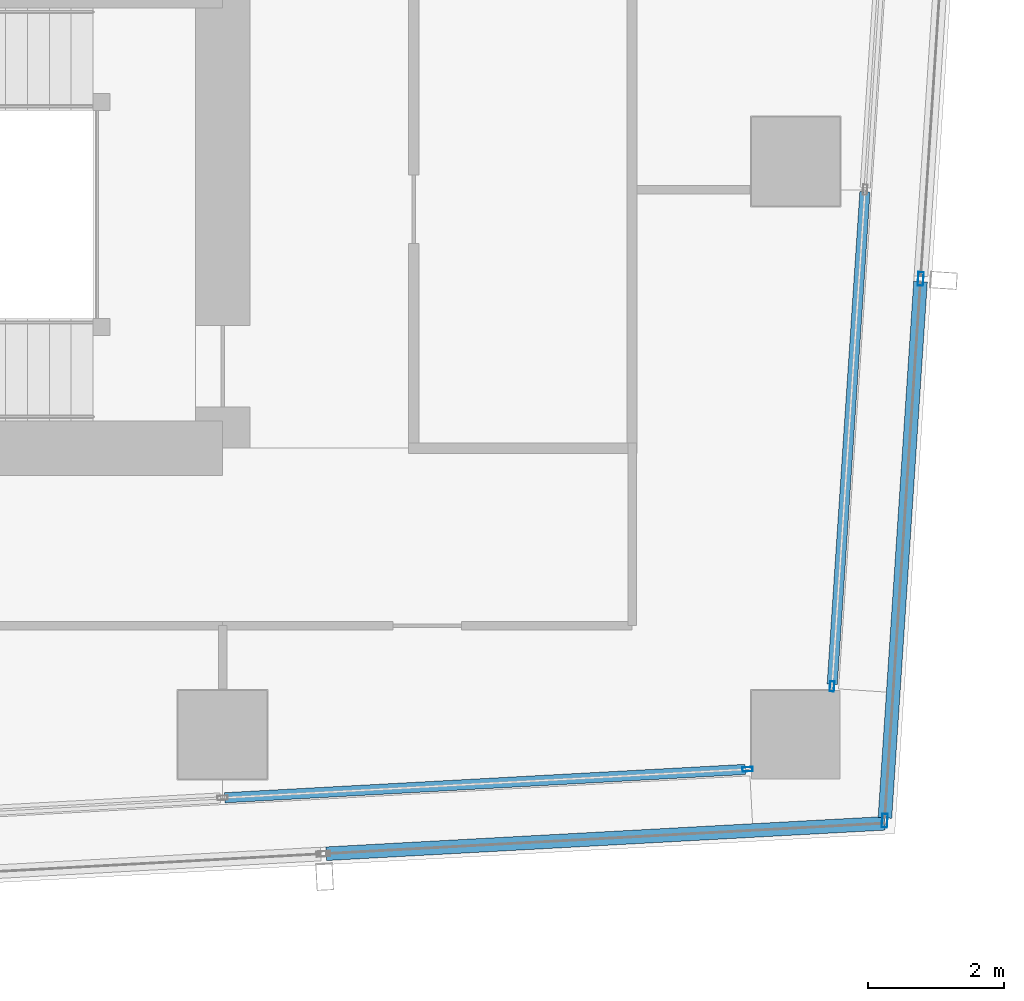
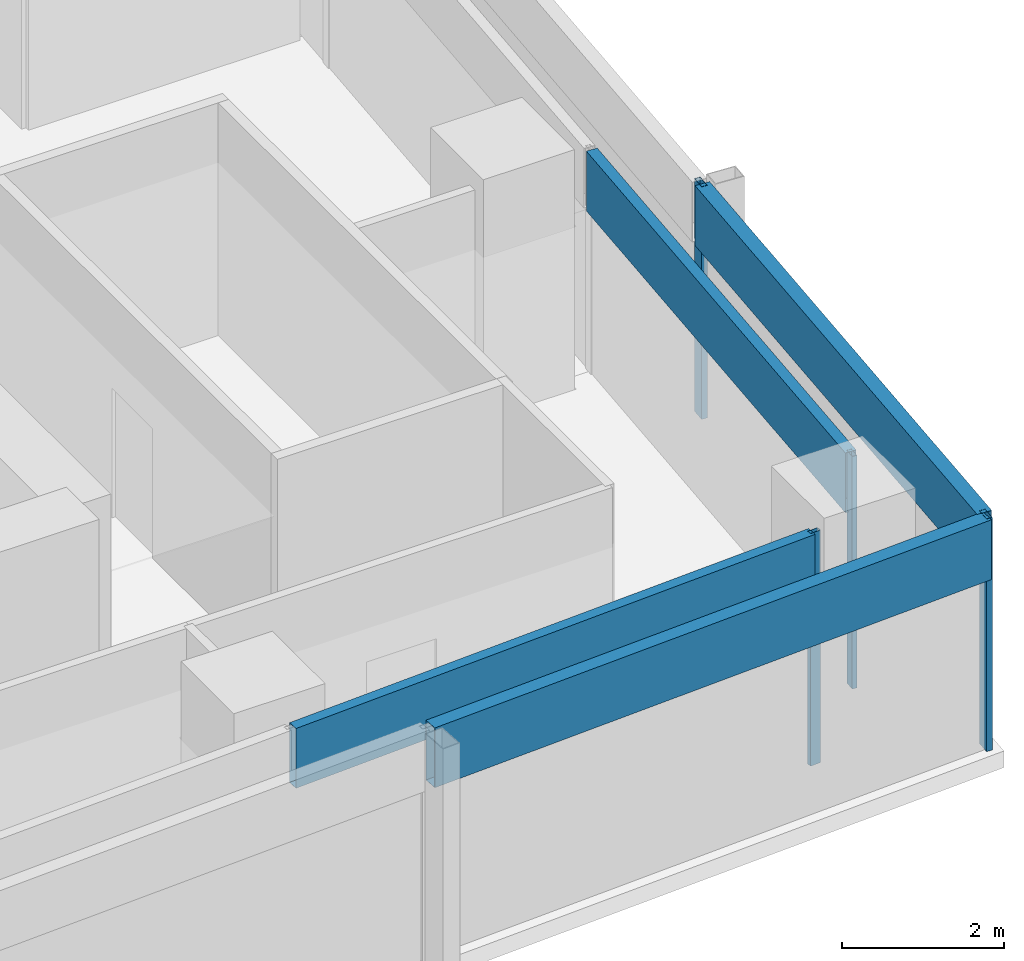
# One storey, part 11 of 29: 8 members, 4 elements without a shape of their own.
"""IFC4 building model written with IfcOpenShell, lengths in metres."""

from ifc_helpers import new_model, si_unit, direction, frame, origin, origin_2d, place, context, subcontext, project, spatial, hollow_rectangle, extrude, material, material_profile, profile_set, type_object, element, aggregate, save


model = new_model("IFC4")

# Units and contexts
model_context = context("Model", 3, precision=1e-05, world=origin(), true_north=direction((0.0, 1.0)))
body_context = subcontext(model_context, "Body", "Model", "MODEL_VIEW")
ifc_project = project(units=[si_unit("LENGTHUNIT", "METRE"), si_unit("AREAUNIT", "SQUARE_METRE"), si_unit("VOLUMEUNIT", "CUBIC_METRE"), si_unit("PLANEANGLEUNIT", "RADIAN"), si_unit("MASSUNIT", "GRAM", prefix="KILO")], contexts=[model_context])

# Site, building, storey
site_placement = place(None, origin())
site = spatial("IfcSite", under=ifc_project, at=site_placement, CompositionType="ELEMENT")
building_placement = place(site_placement, origin())
building = spatial("IfcBuilding", under=site, at=building_placement, Name="Rekha Terrace Tower", CompositionType="ELEMENT")
storey_placement = place(building_placement, frame((0.0, 0.0, 280.10009765625)))
storey = spatial("IfcBuildingStorey", under=building, at=storey_placement, Name="L71", CompositionType="ELEMENT", Elevation=280.10009765625)

# Curtain wall, member
ifc_material_1 = material(Name="Aluminium framing", Category="aluminium")
curtain_wall_type_1 = type_object("IfcCurtainWallType", Name="CW1 double skin inner glazing", PredefinedType="USERDEFINED", material=ifc_material_1)
curtain_wall_1_placement = place(storey_placement, origin())
curtain_wall_1 = element("IfcCurtainWall", 1, at=curtain_wall_1_placement, inside=storey, type_object=curtain_wall_type_1, Name="CW1 double skin inner glazing", ObjectType="DOUBLE SKIN INNER GLAZING", PredefinedType="USERDEFINED")
ifc_material_2 = material(Name="Aluminium mullion section", Category="aluminium")
ifc_material_profile_1 = material_profile(ifc_material_2, hollow_rectangle(XDim=0.06494140625, YDim=0.14990234375, WallThickness=0.00390625, at=origin_2d()), Name="AL RHS 65x150")
ifc_profile_set_1 = profile_set([ifc_material_profile_1], Name="Aluminium mullion section")
member_type_1 = type_object("IfcMemberType", Name="CW1 mullion RHS 65 x 150", PredefinedType="MULLION", material=ifc_profile_set_1)
member_1_placement = place(storey_placement, frame((58.092529296875, 16.2939453125, 0.0), z_axis=(0.0, 0.0, 1.0), x_axis=(-0.054388903036, 0.998519828159, 0.0)))
member_1 = element("IfcMember", 2, at=member_1_placement, type_object=member_type_1, Name="CW1 mullion 5", PredefinedType="MULLION", context=body_context, shape_type="SweptSolid", body=[
    extrude(hollow_rectangle(XDim=0.06494140625, YDim=0.14990234375, WallThickness=0.00390625, at=origin_2d()), origin(), (0.0, 0.0, 1.0), 3.5),
])

curtain_wall_2_placement = place(storey_placement, origin())
curtain_wall_2 = element("IfcCurtainWall", 3, at=curtain_wall_2_placement, inside=storey, type_object=curtain_wall_type_1, Name="CW1 double skin inner glazing", ObjectType="DOUBLE SKIN INNER GLAZING", PredefinedType="USERDEFINED")
member_2_placement = place(storey_placement, frame((59.3310546875, 17.5087890625, 0.0), z_axis=(0.0, 0.0, 1.0), x_axis=(-0.997801621769, 0.066271589649, 0.0)))
member_2 = element("IfcMember", 4, at=member_2_placement, type_object=member_type_1, Name="CW1 mullion 1", PredefinedType="MULLION", context=body_context, shape_type="SweptSolid", body=[
    extrude(hollow_rectangle(XDim=0.06494140625, YDim=0.14990234375, WallThickness=0.00390625, at=origin_2d()), origin(), (0.0, 0.0, 1.0), 3.5),
])

# Member
ifc_material_3 = material(Name="Insulated aluminium spandrel box", Category="aluminium")
ifc_material_profile_2 = material_profile(ifc_material_3, hollow_rectangle(XDim=0.14990234375, YDim=0.89990234375, WallThickness=0.0029296875, at=origin_2d()), Name="AL SPANDREL BOX 150x900")
ifc_profile_set_2 = profile_set([ifc_material_profile_2], Name="Insulated aluminium spandrel box")
member_type_2 = type_object("IfcMemberType", Name="CW1 spandrel transom 150 x 900", PredefinedType="USERDEFINED", material=ifc_profile_set_2)
member_3_placement = place(storey_placement, frame((50.431640625, 15.876708984375, 3.0498046875), z_axis=(0.998519749799, 0.054390341617, 0.0), x_axis=(-0.054390341617, 0.998519749799, 0.0)))
member_3 = element("IfcMember", 5, at=member_3_placement, type_object=member_type_2, Name="CW1 spandrel transom 4", ObjectType="TRANSOM", PredefinedType="USERDEFINED", context=body_context, shape_type="SweptSolid", body=[
    extrude(hollow_rectangle(XDim=0.14990234375, YDim=0.89990234375, WallThickness=0.0029296875, at=origin_2d()), origin(), (0.0, 0.0, 1.0), 7.6396484375),
])

aggregate(curtain_wall_1, [member_1, member_3])

member_4_placement = place(storey_placement, frame((59.333251953125, 17.541015625, 3.0498046875), z_axis=(0.066261233081, 0.997802309574, 0.0), x_axis=(-0.997802309574, 0.066261233081, 0.0)))
member_4 = element("IfcMember", 6, at=member_4_placement, type_object=member_type_2, Name="CW1 spandrel transom 1", ObjectType="TRANSOM", PredefinedType="USERDEFINED", context=body_context, shape_type="SweptSolid", body=[
    extrude(hollow_rectangle(XDim=0.14990234375, YDim=0.89990234375, WallThickness=0.0029296875, at=origin_2d()), origin(), (0.0, 0.0, 1.0), 7.22900390625),
])

aggregate(curtain_wall_2, [member_2, member_4])

# Curtain wall, members
curtain_wall_type_2 = type_object("IfcCurtainWallType", Name="CW2 double skin outer glazing", PredefinedType="USERDEFINED", material=ifc_material_1)
curtain_wall_3_placement = place(storey_placement, origin())
curtain_wall_3 = element("IfcCurtainWall", 7, at=curtain_wall_3_placement, inside=storey, type_object=curtain_wall_type_2, Name="CW2 double skin outer glazing", ObjectType="DOUBLE SKIN OUTER GLAZING", PredefinedType="USERDEFINED")
ifc_material_profile_3 = material_profile(ifc_material_2, hollow_rectangle(XDim=0.080078125, YDim=0.199951171875, WallThickness=0.00390625, at=origin_2d()), Name="AL RHS 80x200")
ifc_profile_set_3 = profile_set([ifc_material_profile_3], Name="Aluminium mullion section")
member_type_3 = type_object("IfcMemberType", Name="CW2 mullion RHS 80 x 200", PredefinedType="MULLION", material=ifc_profile_set_3)
member_5_placement = place(storey_placement, frame((60.102294921875, 15.5419921875, 0.0), z_axis=(0.0, 0.0, 1.0), x_axis=(-0.997801621769, 0.066271589649, 0.0)))
member_5 = element("IfcMember", 8, at=member_5_placement, type_object=member_type_3, Name="CW2 mullion 1", PredefinedType="MULLION", context=body_context, shape_type="SweptSolid", body=[
    extrude(hollow_rectangle(XDim=0.080078125, YDim=0.199951171875, WallThickness=0.00390625, at=origin_2d()), origin(), (0.0, 0.0, 1.0), 3.5),
])
member_6_placement = place(storey_placement, frame((60.629638671875, 23.479736328125, 0.0), z_axis=(0.0, 0.0, 1.0), x_axis=(-0.997801621769, 0.066271589649, 0.0)))
member_6 = element("IfcMember", 9, at=member_6_placement, type_object=member_type_3, Name="CW2 mullion 2", PredefinedType="MULLION", context=body_context, shape_type="SweptSolid", body=[
    extrude(hollow_rectangle(XDim=0.080078125, YDim=0.199951171875, WallThickness=0.00390625, at=origin_2d()), origin(), (0.0, 0.0, 1.0), 3.5),
])

# Curtain wall, member
curtain_wall_4_placement = place(storey_placement, origin())
curtain_wall_4 = element("IfcCurtainWall", 10, at=curtain_wall_4_placement, inside=storey, type_object=curtain_wall_type_2, Name="CW2 double skin outer glazing", ObjectType="DOUBLE SKIN OUTER GLAZING", PredefinedType="USERDEFINED")
ifc_material_profile_4 = material_profile(ifc_material_3, hollow_rectangle(XDim=0.199951171875, YDim=0.89990234375, WallThickness=0.0029296875, at=origin_2d()), Name="AL SPANDREL BOX 200x900")
ifc_profile_set_4 = profile_set([ifc_material_profile_4], Name="Insulated aluminium spandrel box")
member_type_4 = type_object("IfcMemberType", Name="CW2 spandrel transom 200 x 900", PredefinedType="USERDEFINED", material=ifc_profile_set_4)
member_7_placement = place(storey_placement, frame((51.91650390625, 15.056396484375, 3.0498046875), z_axis=(0.998521064062, 0.054366208476, 0.0), x_axis=(-0.054366208476, 0.998521064062, 0.0)))
member_7 = element("IfcMember", 11, at=member_7_placement, type_object=member_type_4, Name="CW2 spandrel transom 4", ObjectType="TRANSOM", PredefinedType="USERDEFINED", context=body_context, shape_type="SweptSolid", body=[
    extrude(hollow_rectangle(XDim=0.199951171875, YDim=0.89990234375, WallThickness=0.0029296875, at=origin_2d()), origin(), (0.0, 0.0, 1.0), 8.195556640625),
])
aggregate(curtain_wall_4, [member_7])

# Member
member_8_placement = place(storey_placement, frame((60.10498046875, 15.581787109375, 3.0498046875), z_axis=(0.066280327672, 0.997801041372, 0.0), x_axis=(-0.997801041372, 0.066280327672, 0.0)))
member_8 = element("IfcMember", 12, at=member_8_placement, type_object=member_type_4, Name="CW2 spandrel transom 1", ObjectType="TRANSOM", PredefinedType="USERDEFINED", context=body_context, shape_type="SweptSolid", body=[
    extrude(hollow_rectangle(XDim=0.199951171875, YDim=0.89990234375, WallThickness=0.0029296875, at=origin_2d()), origin(), (0.0, 0.0, 1.0), 7.875244140625),
])

aggregate(curtain_wall_3, [member_5, member_6, member_8])

save(model, "model.ifc")
